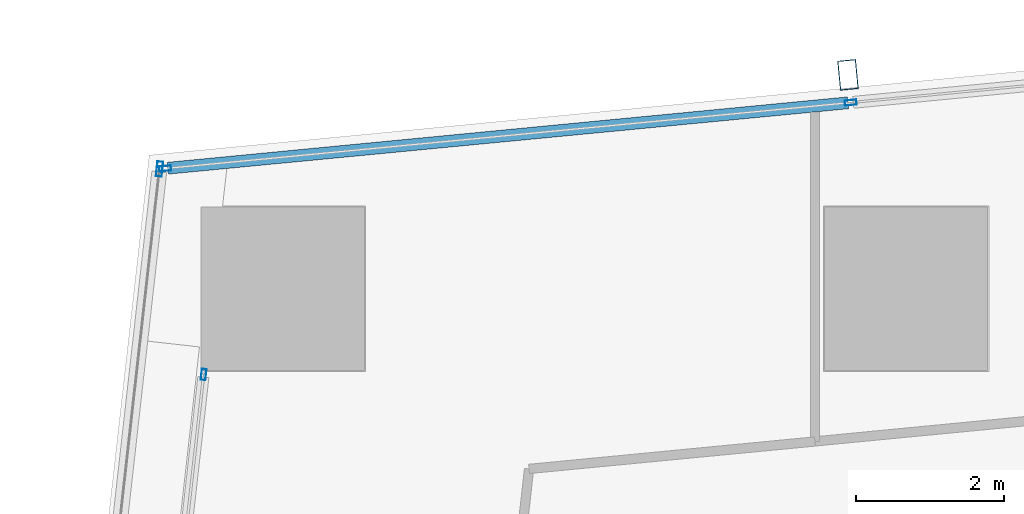
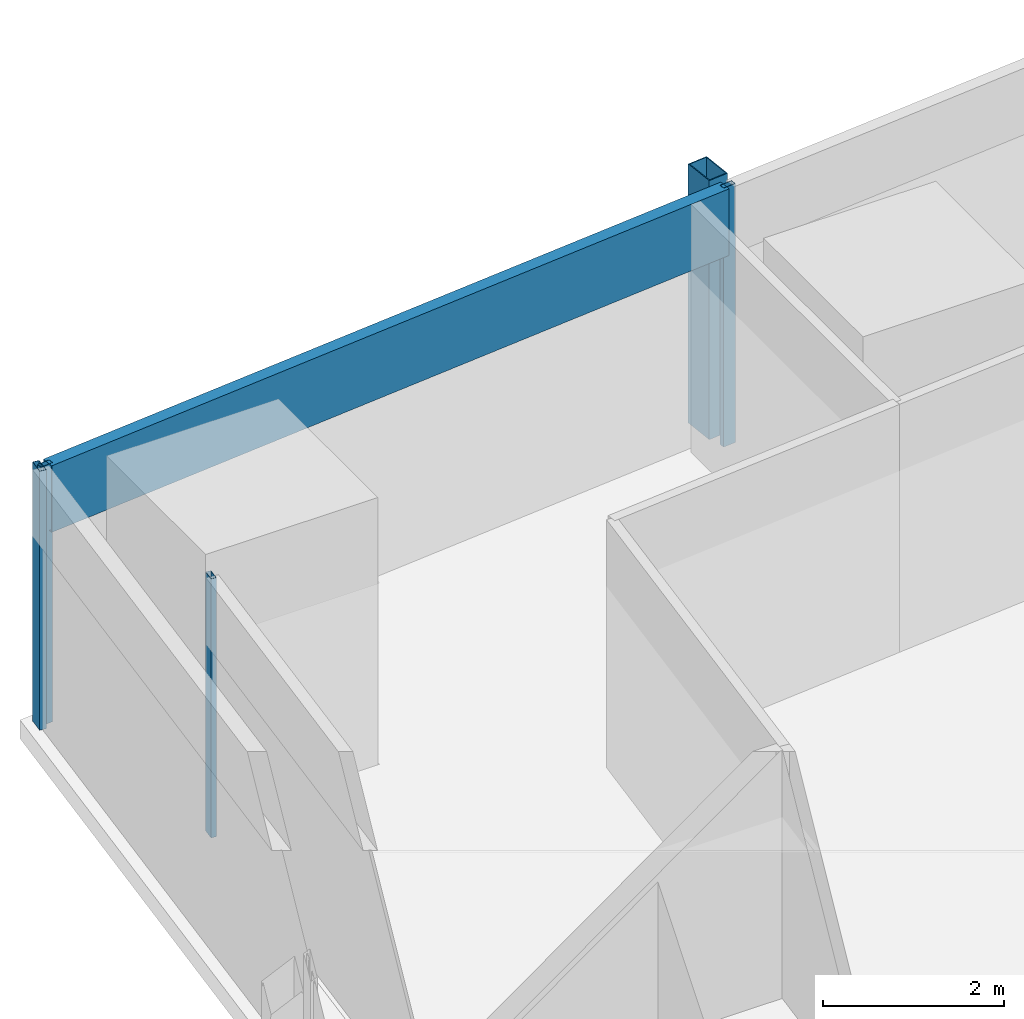
# One storey, part 16 of 45: 6 members, 3 elements without a shape of their own.
"""IFC4 building model written with IfcOpenShell, lengths in metres."""

from ifc_helpers import new_model, si_unit, direction, frame, origin, origin_2d, place, context, subcontext, project, spatial, hollow_rectangle, extrude, material, material_profile, profile_set, type_object, element, aggregate, save


model = new_model("IFC4")

# Units and contexts
model_context = context("Model", 3, precision=1e-05, world=origin(), true_north=direction((0.0, 1.0)))
body_context = subcontext(model_context, "Body", "Model", "MODEL_VIEW")
ifc_project = project(units=[si_unit("LENGTHUNIT", "METRE"), si_unit("AREAUNIT", "SQUARE_METRE"), si_unit("VOLUMEUNIT", "CUBIC_METRE"), si_unit("PLANEANGLEUNIT", "RADIAN"), si_unit("MASSUNIT", "GRAM", prefix="KILO")], contexts=[model_context])

# Site, building, storey
site_placement = place(None, origin())
site = spatial("IfcSite", under=ifc_project, at=site_placement, CompositionType="ELEMENT")
building_placement = place(site_placement, origin())
building = spatial("IfcBuilding", under=site, at=building_placement, Name="Rekha Terrace Tower", CompositionType="ELEMENT")
storey_placement = place(building_placement, frame((0.0, 0.0, 32.89990234375)))
storey = spatial("IfcBuildingStorey", under=building, at=storey_placement, Name="L07", CompositionType="ELEMENT", Elevation=32.89990234375)

# Curtain wall, member
ifc_material_1 = material(Name="Aluminium framing", Category="aluminium")
curtain_wall_type_1 = type_object("IfcCurtainWallType", Name="CW3 north unitised glazing", PredefinedType="USERDEFINED", material=ifc_material_1)
curtain_wall_1_placement = place(storey_placement, origin())
curtain_wall_1 = element("IfcCurtainWall", 1, at=curtain_wall_1_placement, inside=storey, type_object=curtain_wall_type_1, Name="CW3 unitised curtain wall", ObjectType="UNITISED CURTAIN WALL", PredefinedType="USERDEFINED")
ifc_material_2 = material(Name="Steel S355 with fluorocarbon finish", Category="steel")
ifc_material_profile_1 = material_profile(ifc_material_2, hollow_rectangle(XDim=0.25, YDim=0.39990234375, WallThickness=0.012451171875, at=origin_2d()), Name="RHS400x250x12.5")
ifc_profile_set_1 = profile_set([ifc_material_profile_1], Name="Steel S355 with fluorocarbon finish")
member_type_1 = type_object("IfcMemberType", Name="BL1 facade blade RHS 400 x 250", PredefinedType="USERDEFINED", material=ifc_profile_set_1)
member_1_placement = place(storey_placement, frame((16.01708984375, 61.681396484375, 0.0), z_axis=(0.0, 0.0, 1.0), x_axis=(-0.995409070123, -0.095711980009, 0.0)))
member_1 = element("IfcMember", 2, at=member_1_placement, type_object=member_type_1, Name="Facade blade", ObjectType="FACADE BLADE", PredefinedType="USERDEFINED", context=body_context, shape_type="SweptSolid", body=[
    extrude(hollow_rectangle(XDim=0.25, YDim=0.39990234375, WallThickness=0.012451171875, at=origin_2d()), origin(), (0.0, 0.0, 1.0), 3.5),
])

curtain_wall_type_2 = type_object("IfcCurtainWallType", Name="CW1 double skin inner glazing", PredefinedType="USERDEFINED", material=ifc_material_1)
curtain_wall_2_placement = place(storey_placement, origin())
curtain_wall_2 = element("IfcCurtainWall", 3, at=curtain_wall_2_placement, inside=storey, type_object=curtain_wall_type_2, Name="CW1 double skin inner glazing", ObjectType="DOUBLE SKIN INNER GLAZING", PredefinedType="USERDEFINED")
ifc_material_3 = material(Name="Aluminium mullion section", Category="aluminium")
ifc_material_profile_2 = material_profile(ifc_material_3, hollow_rectangle(XDim=0.06494140625, YDim=0.14990234375, WallThickness=0.00390625, at=origin_2d()), Name="AL RHS 65x150")
ifc_profile_set_2 = profile_set([ifc_material_profile_2], Name="Aluminium mullion section")
member_type_2 = type_object("IfcMemberType", Name="CW1 mullion RHS 65 x 150", PredefinedType="MULLION", material=ifc_profile_set_2)
member_2_placement = place(storey_placement, frame((7.334228515625, 57.643310546875, 0.0), z_axis=(0.0, 0.0, 1.0), x_axis=(0.993738615524, -0.111729870748, 0.0)))
member_2 = element("IfcMember", 4, at=member_2_placement, type_object=member_type_2, Name="CW1 mullion 1", PredefinedType="MULLION", context=body_context, shape_type="SweptSolid", body=[
    extrude(hollow_rectangle(XDim=0.06494140625, YDim=0.14990234375, WallThickness=0.00390625, at=origin_2d()), origin(), (0.0, 0.0, 1.0), 3.5),
])
aggregate(curtain_wall_2, [member_2])

curtain_wall_type_3 = type_object("IfcCurtainWallType", Name="CW2 double skin outer glazing", PredefinedType="USERDEFINED", material=ifc_material_1)
curtain_wall_3_placement = place(storey_placement, origin())
curtain_wall_3 = element("IfcCurtainWall", 5, at=curtain_wall_3_placement, inside=storey, type_object=curtain_wall_type_3, Name="CW2 double skin outer glazing", ObjectType="DOUBLE SKIN OUTER GLAZING", PredefinedType="USERDEFINED")
ifc_material_profile_3 = material_profile(ifc_material_3, hollow_rectangle(XDim=0.080078125, YDim=0.199951171875, WallThickness=0.00390625, at=origin_2d()), Name="AL RHS 80x200")
ifc_profile_set_3 = profile_set([ifc_material_profile_3], Name="Aluminium mullion section")
member_type_3 = type_object("IfcMemberType", Name="CW2 mullion RHS 80 x 200", PredefinedType="MULLION", material=ifc_profile_set_3)
member_3_placement = place(storey_placement, frame((6.739990234375, 60.413330078125, 0.0), z_axis=(0.0, 0.0, 1.0), x_axis=(0.99373861552, -0.111729870782, 0.0)))
member_3 = element("IfcMember", 6, at=member_3_placement, type_object=member_type_3, Name="CW2 mullion 1", PredefinedType="MULLION", context=body_context, shape_type="SweptSolid", body=[
    extrude(hollow_rectangle(XDim=0.080078125, YDim=0.199951171875, WallThickness=0.00390625, at=origin_2d()), origin(), (0.0, 0.0, 1.0), 3.5),
])
aggregate(curtain_wall_3, [member_3])

# Member
ifc_material_profile_4 = material_profile(ifc_material_3, hollow_rectangle(XDim=0.070068359375, YDim=0.159912109375, WallThickness=0.00390625, at=origin_2d()), Name="AL RHS 70x160")
ifc_profile_set_4 = profile_set([ifc_material_profile_4], Name="Aluminium mullion section")
member_type_4 = type_object("IfcMemberType", Name="CW3 mullion RHS 70 x 160", PredefinedType="MULLION", material=ifc_profile_set_4)
member_4_placement = place(storey_placement, frame((16.052978515625, 61.30810546875, 0.0), z_axis=(0.0, 0.0, 1.0), x_axis=(0.095712406625, -0.995409029102, 0.0)))
member_4 = element("IfcMember", 7, at=member_4_placement, type_object=member_type_4, Name="CW3 mullion 2", PredefinedType="MULLION", context=body_context, shape_type="SweptSolid", body=[
    extrude(hollow_rectangle(XDim=0.070068359375, YDim=0.159912109375, WallThickness=0.00390625, at=origin_2d()), origin(), (0.0, 0.0, 1.0), 3.5),
])

member_5_placement = place(storey_placement, frame((6.8154296875, 60.419677734375, 0.0), z_axis=(0.0, 0.0, 1.0), x_axis=(0.095712406625, -0.995409029102, 0.0)))
member_5 = element("IfcMember", 8, at=member_5_placement, type_object=member_type_4, Name="CW3 mullion 3", PredefinedType="MULLION", context=body_context, shape_type="SweptSolid", body=[
    extrude(hollow_rectangle(XDim=0.070068359375, YDim=0.159912109375, WallThickness=0.00390625, at=origin_2d()), origin(), (0.0, 0.0, 1.0), 3.5),
])

ifc_material_4 = material(Name="Insulated aluminium spandrel box", Category="aluminium")
ifc_material_profile_5 = material_profile(ifc_material_4, hollow_rectangle(XDim=0.159912109375, YDim=0.89990234375, WallThickness=0.0029296875, at=origin_2d()), Name="AL SPANDREL BOX 160x900")
ifc_profile_set_5 = profile_set([ifc_material_profile_5], Name="Insulated aluminium spandrel box")
member_type_5 = type_object("IfcMemberType", Name="CW3 spandrel transom 160 x 900", PredefinedType="USERDEFINED", material=ifc_profile_set_5)
member_6_placement = place(storey_placement, frame((16.018310546875, 61.3046875, 3.050048828125), z_axis=(-0.995408446287, -0.095718467713, 0.0), x_axis=(0.095718467713, -0.995408446287, 0.0)))
member_6 = element("IfcMember", 9, at=member_6_placement, type_object=member_type_5, Name="CW3 spandrel transom 2", ObjectType="TRANSOM", PredefinedType="USERDEFINED", context=body_context, shape_type="SweptSolid", body=[
    extrude(hollow_rectangle(XDim=0.159912109375, YDim=0.89990234375, WallThickness=0.0029296875, at=origin_2d()), origin(), (0.0, 0.0, 1.0), 9.210205078125),
])

aggregate(curtain_wall_1, [member_4, member_5, member_6, member_1])

save(model, "model.ifc")
